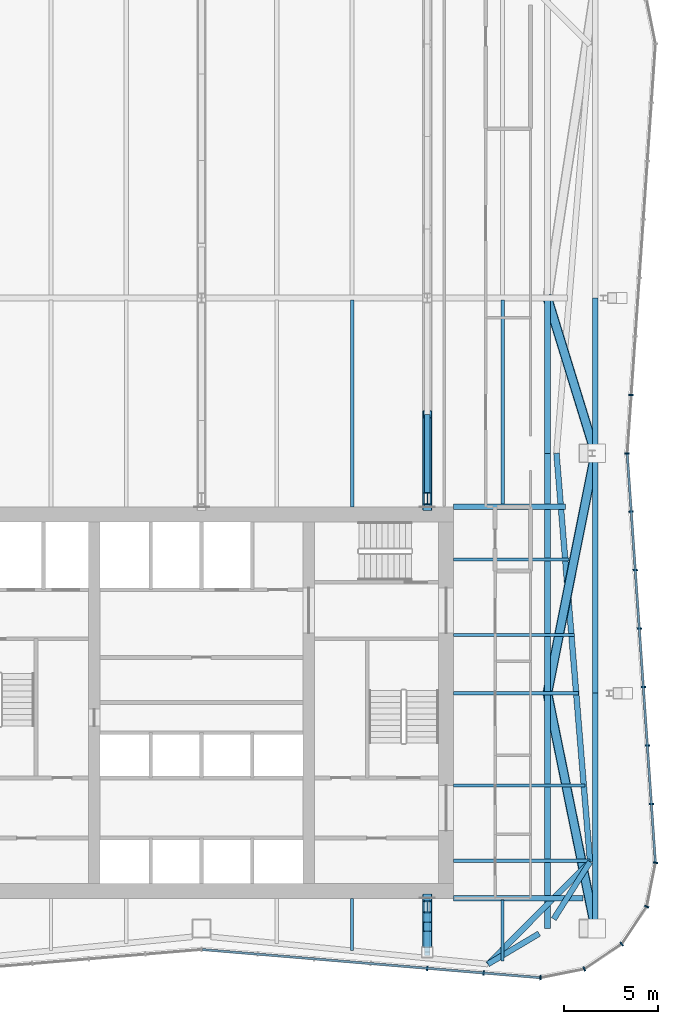
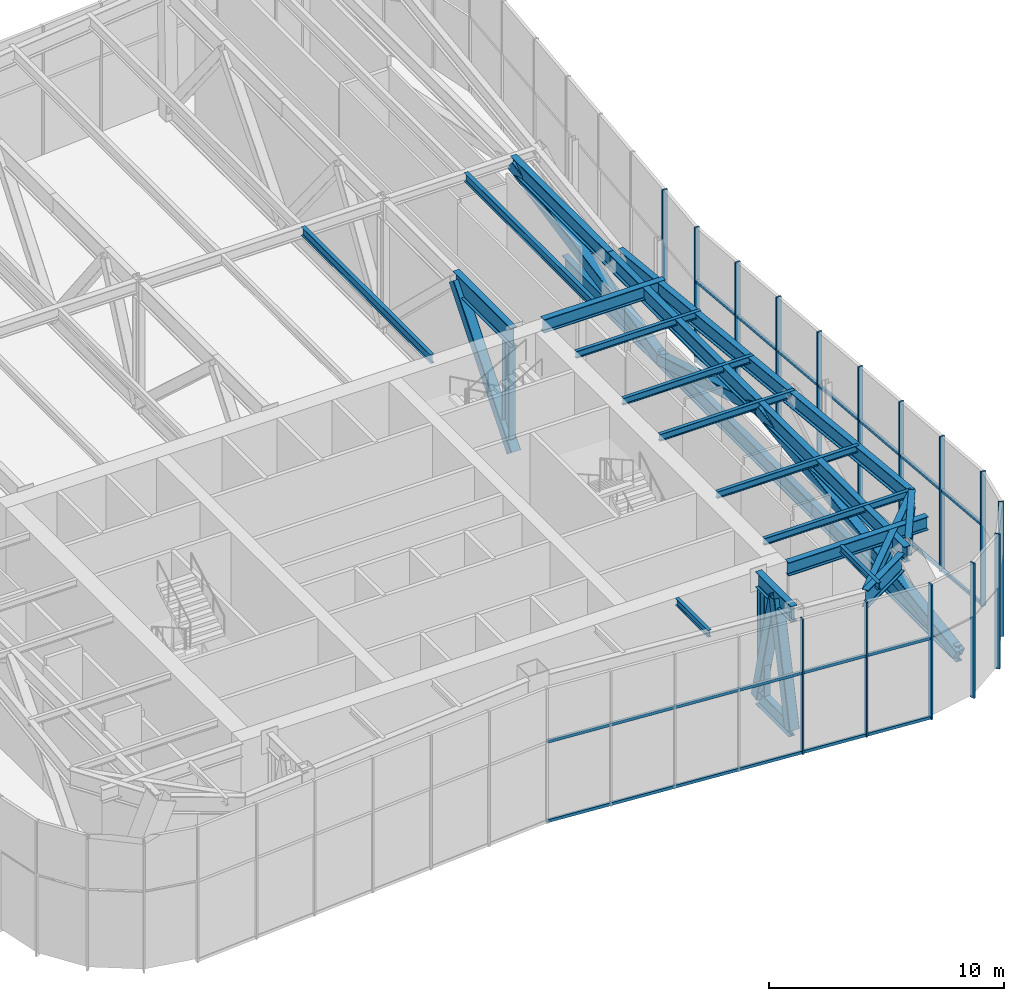
# One storey, part 7 of 17: 36 members, 15 beams, 3 elements without a shape of their own.
"""IFC4 building model written with IfcOpenShell, lengths in metres."""

import ifcopenshell
import ifcopenshell.guid

model = None  # the IFC model being written
_history = None  # IfcOwnerHistory: only IFC2X3 demands one
_inside = {}  # id of a spatial element -> (the spatial element, [elements in it])
_under = {}  # id of a project, library or spatial element -> (it, [spatial elements below it])
_declared = {}  # id of a project -> (the project, [libraries it declares])
_typed = {}  # id of a type object -> (the type object, [elements of that type])
_made_of = {}  # id of a material, layer set ... -> (it, [elements and type objects made of it])


def new_model(schema):
    """Start an empty IFC model of exactly this schema.

    Asked for "IFC4X3", IfcOpenShell would pick the latest addendum, in which some entities
    have other attributes; the version numbers below select the first issue.
    IFC2X3 requires an IfcOwnerHistory on every rooted entity: one is made here for all.
    """
    global model, _history
    if schema == "IFC4X3":
        model = ifcopenshell.file(schema_version=(4, 3, 0, 0))
    else:
        model = ifcopenshell.file(schema=schema)
    _inside.clear()
    _under.clear()
    _declared.clear()
    _typed.clear()
    _made_of.clear()
    _history = None
    if model.schema == "IFC2X3":
        org = make("IfcOrganization", Name="unknown")
        user = make(
            "IfcPersonAndOrganization",
            ThePerson=make("IfcPerson", FamilyName="unknown"),
            TheOrganization=org,
        )
        app = make(
            "IfcApplication",
            ApplicationDeveloper=org,
            Version="unknown",
            ApplicationFullName="unknown",
            ApplicationIdentifier="unknown",
        )
        _history = make(
            "IfcOwnerHistory",
            OwningUser=user,
            OwningApplication=app,
            ChangeAction="ADDED",
            CreationDate=0,
        )
    return model


def make(cls, **values):
    """One entity of the class cls with the attributes given. An attribute that is None is left unset."""
    return model.create_entity(
        cls, **{name: value for name, value in values.items() if value is not None}
    )


def rooted(cls, **values):
    """An entity with a GlobalId (a new one), such as an element, a storey or a relation."""
    return make(cls, GlobalId=ifcopenshell.guid.new(), OwnerHistory=_history, **values)


def si_unit(unit_type, name, prefix=None):
    """IfcSIUnit, for example si_unit("LENGTHUNIT", "METRE", prefix="MILLI")."""
    return make("IfcSIUnit", UnitType=unit_type, Prefix=prefix, Name=name)


def assignment(units):
    """IfcUnitAssignment: the units of a project."""
    return None if units is None else make("IfcUnitAssignment", Units=units)


def point(xyz):
    """IfcCartesianPoint."""
    return None if xyz is None else make("IfcCartesianPoint", Coordinates=xyz)


def direction(xyz):
    """IfcDirection."""
    return None if xyz is None else make("IfcDirection", DirectionRatios=xyz)


def frame(location, z_axis=None, x_axis=None):
    """IfcAxis2Placement3D, a coordinate frame: its origin and axes. An axis left out is left unset."""
    return make(
        "IfcAxis2Placement3D",
        Location=point(location),
        Axis=direction(z_axis),
        RefDirection=direction(x_axis),
    )


def frame_2d(location, x_axis=None):
    """IfcAxis2Placement2D, a coordinate frame in the plane: its origin and x axis."""
    return make(
        "IfcAxis2Placement2D", Location=point(location), RefDirection=direction(x_axis)
    )


def origin():
    """The frame at (0, 0, 0) with its axes left unset."""
    return frame((0.0, 0.0, 0.0))


def origin_2d():
    """The frame at (0, 0) in the plane with its x axis left unset."""
    return frame_2d((0.0, 0.0))


def place(relative_to, where):
    """IfcLocalPlacement: puts the frame where relative to a parent placement (None: the world)."""
    return make(
        "IfcLocalPlacement", PlacementRelTo=relative_to, RelativePlacement=where
    )


def context(
    kind, dimensions, precision=None, world=None, true_north=None, identifier=None
):
    """IfcGeometricRepresentationContext, for example the 3D "Model" context."""
    return make(
        "IfcGeometricRepresentationContext",
        ContextIdentifier=identifier,
        ContextType=kind,
        CoordinateSpaceDimension=dimensions,
        Precision=precision,
        WorldCoordinateSystem=world,
        TrueNorth=true_north,
    )


def subcontext(parent, identifier, kind, view, scale=None):
    """IfcGeometricRepresentationSubContext, for example "Body" below "Model"."""
    return make(
        "IfcGeometricRepresentationSubContext",
        ContextIdentifier=identifier,
        ContextType=kind,
        ParentContext=parent,
        TargetScale=scale,
        TargetView=view,
    )


def project(units=None, contexts=None):
    """IfcProject with its units and contexts."""
    return rooted(
        "IfcProject",
        Name="project",
        RepresentationContexts=contexts,
        UnitsInContext=assignment(units),
    )


def spatial(cls, under=None, at=None, **own):
    """A site, building, storey or space (cls), placed at a placement, below another one or the project."""
    s = rooted(cls, ObjectPlacement=at, **own)
    if under is not None:
        _under.setdefault(under.id(), (under, []))[1].append(s)
    return s


def profile(cls, at=None, kind="AREA", **sizes):
    """A parametric profile (cls). Its sizes go by their IFC names, for example OverallWidth=200.0."""
    return make(cls, ProfileType=kind, Position=at, **sizes)


def rectangle(**sizes):
    """IfcRectangleProfileDef."""
    return profile("IfcRectangleProfileDef", **sizes)


def hollow_rectangle(**sizes):
    """IfcRectangleHollowProfileDef."""
    return profile("IfcRectangleHollowProfileDef", **sizes)


def i_section(**sizes):
    """IfcIShapeProfileDef."""
    return profile("IfcIShapeProfileDef", **sizes)


def extrude(swept, where, along, depth):
    """IfcExtrudedAreaSolid: the profile swept, set in the frame where, extruded along a direction by depth."""
    return make(
        "IfcExtrudedAreaSolid",
        SweptArea=swept,
        Position=where,
        ExtrudedDirection=direction(along),
        Depth=depth,
    )


def shape(context_of_items, identifier, shape_type, items):
    """IfcShapeRepresentation: the items that make up one representation, for example the "Body"."""
    return make(
        "IfcShapeRepresentation",
        ContextOfItems=context_of_items,
        RepresentationIdentifier=identifier,
        RepresentationType=shape_type,
        Items=items,
    )


def material(Name=None, Category=None):
    """IfcMaterial."""
    return make("IfcMaterial", Name=Name, Category=Category)


def material_profile(
    of_material, cross_section, Name=None, Category=None, Priority=None
):
    """IfcMaterialProfile: a cross section and its material."""
    return make(
        "IfcMaterialProfile",
        Name=Name,
        Material=of_material,
        Profile=cross_section,
        Priority=Priority,
        Category=Category,
    )


def profile_set(profiles, Name=None, composite=None):
    """IfcMaterialProfileSet."""
    return make(
        "IfcMaterialProfileSet",
        Name=Name,
        MaterialProfiles=profiles,
        CompositeProfile=composite,
    )


def made_of(thing, what):
    """Note that an element or type object is made of a material, layer set ...; save() writes the relation."""
    if what is not None:
        _made_of.setdefault(what.id(), (what, []))[1].append(thing)
    return thing


def type_object(cls, material=None, **own):
    """A type object (cls), such as IfcWallType, which elements share."""
    return made_of(rooted(cls, **own), material)


def element(
    cls,
    number,
    at=None,
    inside=None,
    cuts=None,
    type_object=None,
    material=None,
    context=None,
    identifier="Body",
    shape_type=None,
    held_by="IfcProductDefinitionShape",
    body=None,
    shapes=None,
    **own,
):
    """One element of the class cls, such as IfcWall. Its Tag is "e" and its number.

    at: its placement. inside: the storey or other place that contains it. cuts: it is an
    opening in that element (IfcRelVoidsElement). A single representation is given by context,
    identifier, shape_type and body (its items); several are given by shapes. held_by: the class
    of the entity that holds the representations. save() writes the other relations.
    """
    e = rooted(cls, Tag="e%d" % number, ObjectPlacement=at, **own)
    if body is not None:
        shapes = [shape(context, identifier, shape_type, body)]
    if shapes is not None:
        e.Representation = make(held_by, Representations=shapes)
    if inside is not None:
        _inside.setdefault(inside.id(), (inside, []))[1].append(e)
    if cuts is not None:
        rooted(
            "IfcRelVoidsElement", RelatingBuildingElement=cuts, RelatedOpeningElement=e
        )
    if type_object is not None:
        _typed.setdefault(type_object.id(), (type_object, []))[1].append(e)
    return made_of(e, material)


def aggregate(whole, parts):
    """IfcRelAggregates: a whole, such as a stair, and the parts it consists of."""
    return rooted("IfcRelAggregates", RelatingObject=whole, RelatedObjects=parts)


def save(model, path):
    """Write the relations noted so far, then the file.

    IfcRelAggregates (storeys below a building ...), IfcRelContainedInSpatialStructure (elements
    in a storey), IfcRelDefinesByType, IfcRelAssociatesMaterial and IfcRelDeclares: one each for
    every whole, place, type object, material and project.
    """
    for whole, parts in _under.values():
        aggregate(whole, parts)
    for where, things in _inside.values():
        rooted(
            "IfcRelContainedInSpatialStructure",
            RelatedElements=things,
            RelatingStructure=where,
        )
    for kind, things in _typed.values():
        rooted("IfcRelDefinesByType", RelatedObjects=things, RelatingType=kind)
    for what, things in _made_of.values():
        rooted("IfcRelAssociatesMaterial", RelatedObjects=things, RelatingMaterial=what)
    for by, libraries in _declared.values():
        rooted("IfcRelDeclares", RelatingContext=by, RelatedDefinitions=libraries)
    model.write(path)


model = new_model("IFC4")

# Units and contexts
model_context = context("Model", 3, precision=1e-05, world=origin(), true_north=direction((0.0, 1.0)))
body_context = subcontext(model_context, "Body", "Model", "MODEL_VIEW")
ifc_project = project(units=[si_unit("LENGTHUNIT", "METRE"), si_unit("AREAUNIT", "SQUARE_METRE"), si_unit("VOLUMEUNIT", "CUBIC_METRE"), si_unit("PLANEANGLEUNIT", "RADIAN"), si_unit("MASSUNIT", "GRAM", prefix="KILO")], contexts=[model_context])

# Site, building, storey
site_placement = place(None, origin())
site = spatial("IfcSite", under=ifc_project, at=site_placement, CompositionType="ELEMENT")
building_placement = place(site_placement, origin())
building = spatial("IfcBuilding", under=site, at=building_placement, Name="Verdant Reach Tower", CompositionType="ELEMENT")
storey_placement = place(building_placement, frame((0.0, 0.0, 282.0)))
storey = spatial("IfcBuildingStorey", under=building, at=storey_placement, Name="L65 Plant", CompositionType="ELEMENT", Elevation=282.0)

# Curtain wall, members
ifc_material_1 = material(Name="Anodised aluminium", Category="aluminium")
curtain_wall_type = type_object("IfcCurtainWallType", Name="EN-CW SYSTEM PLANT", PredefinedType="NOTDEFINED", material=ifc_material_1)
curtain_wall_1_placement = place(storey_placement, origin())
curtain_wall_1 = element("IfcCurtainWall", 1, at=curtain_wall_1_placement, inside=storey, type_object=curtain_wall_type, Name="Curtain wall south-east corner, L65", PredefinedType="NOTDEFINED")
ifc_material_profile_1 = material_profile(ifc_material_1, rectangle(XDim=0.238037109375, YDim=0.080078125, at=origin_2d()), Name="Mullion 80x240")
ifc_profile_set_1 = profile_set([ifc_material_profile_1], Name="Anodised aluminium")
member_type_1 = type_object("IfcMemberType", Name="EN-MULLION PLANT", PredefinedType="MULLION", material=ifc_profile_set_1)
member_1_placement = place(storey_placement, frame((18.0068359375, 13.381103515625, -0.35009765625), z_axis=(0.0, 0.0, 1.0), x_axis=(0.056569187765, -0.998398681387, 0.0)))
member_1 = element("IfcMember", 2, at=member_1_placement, type_object=member_type_1, Name="Mullion south-east corner 1, L65", PredefinedType="MULLION", context=body_context, shape_type="SweptSolid", body=[
    extrude(rectangle(XDim=0.238037109375, YDim=0.080078125, at=origin_2d()), origin(), (0.0, 0.0, 1.0), 7.0),
])
member_2_placement = place(storey_placement, frame((20.341552734375, 13.8466796875, -0.35009765625), z_axis=(0.0, 0.0, 1.0), x_axis=(0.382693853776, -0.923875215753, 0.0)))
member_2 = element("IfcMember", 3, at=member_2_placement, type_object=member_type_1, Name="Mullion south-east corner 2, L65", PredefinedType="MULLION", context=body_context, shape_type="SweptSolid", body=[
    extrude(rectangle(XDim=0.238037109375, YDim=0.080078125, at=origin_2d()), origin(), (0.0, 0.0, 1.0), 7.0),
])
member_3_placement = place(storey_placement, frame((22.32666015625, 15.17333984375, -0.35009765625), z_axis=(0.0, 0.0, 1.0), x_axis=(0.707106781187, -0.707106781187, 0.0)))
member_3 = element("IfcMember", 4, at=member_3_placement, type_object=member_type_1, Name="Mullion south-east corner 3, L65", PredefinedType="MULLION", context=body_context, shape_type="SweptSolid", body=[
    extrude(rectangle(XDim=0.238037109375, YDim=0.080078125, at=origin_2d()), origin(), (0.0, 0.0, 1.0), 7.0),
])
member_4_placement = place(storey_placement, frame((23.6533203125, 17.158447265625, -0.35009765625), z_axis=(0.0, 0.0, 1.0), x_axis=(0.923875215753, -0.382693853776, 0.0)))
member_4 = element("IfcMember", 5, at=member_4_placement, type_object=member_type_1, Name="Mullion south-east corner 4, L65", PredefinedType="MULLION", context=body_context, shape_type="SweptSolid", body=[
    extrude(rectangle(XDim=0.238037109375, YDim=0.080078125, at=origin_2d()), origin(), (0.0, 0.0, 1.0), 7.0),
])
aggregate(curtain_wall_1, [member_1, member_2, member_3, member_4])

curtain_wall_2_placement = place(storey_placement, origin())
curtain_wall_2 = element("IfcCurtainWall", 6, at=curtain_wall_2_placement, inside=storey, type_object=curtain_wall_type, Name="Curtain wall east, L65", PredefinedType="NOTDEFINED")
member_5_placement = place(storey_placement, frame((24.11865234375, 19.492431640625, -0.35009765625), z_axis=(0.0, 0.0, 1.0), x_axis=(0.997969180898, -0.063698618332, 0.0)))
member_5 = element("IfcMember", 7, at=member_5_placement, type_object=member_type_1, Name="Mullion east face part 1 1, L65", PredefinedType="MULLION", context=body_context, shape_type="SweptSolid", body=[
    extrude(rectangle(XDim=0.238037109375, YDim=0.080078125, at=origin_2d()), origin(), (0.0, 0.0, 1.0), 7.0),
])
member_6_placement = place(storey_placement, frame((23.904541015625, 22.615234375, -0.35009765625), z_axis=(0.0, 0.0, 1.0), x_axis=(0.997630328423, 0.068802091615, 0.0)))
member_6 = element("IfcMember", 8, at=member_6_placement, type_object=member_type_1, Name="Mullion east face part 1 2, L65", PredefinedType="MULLION", context=body_context, shape_type="SweptSolid", body=[
    extrude(rectangle(XDim=0.238037109375, YDim=0.080078125, at=origin_2d()), origin(), (0.0, 0.0, 1.0), 7.0),
])
member_7_placement = place(storey_placement, frame((23.690185546875, 25.722412109375, -0.35009765625), z_axis=(0.0, 0.0, 1.0), x_axis=(0.997630328423, 0.068802091615, 0.0)))
member_7 = element("IfcMember", 9, at=member_7_placement, type_object=member_type_1, Name="Mullion east face part 1 3, L65", PredefinedType="MULLION", context=body_context, shape_type="SweptSolid", body=[
    extrude(rectangle(XDim=0.238037109375, YDim=0.080078125, at=origin_2d()), origin(), (0.0, 0.0, 1.0), 7.0),
])
member_8_placement = place(storey_placement, frame((23.475830078125, 28.82958984375, -0.35009765625), z_axis=(0.0, 0.0, 1.0), x_axis=(0.997630328423, 0.068802091615, 0.0)))
member_8 = element("IfcMember", 10, at=member_8_placement, type_object=member_type_1, Name="Mullion east face part 1 4, L65", PredefinedType="MULLION", context=body_context, shape_type="SweptSolid", body=[
    extrude(rectangle(XDim=0.238037109375, YDim=0.080078125, at=origin_2d()), origin(), (0.0, 0.0, 1.0), 7.0),
])
member_9_placement = place(storey_placement, frame((23.261474609375, 31.936767578125, -0.35009765625), z_axis=(0.0, 0.0, 1.0), x_axis=(0.997630328423, 0.068802091615, 0.0)))
member_9 = element("IfcMember", 11, at=member_9_placement, type_object=member_type_1, Name="Mullion east face part 1 5, L65", PredefinedType="MULLION", context=body_context, shape_type="SweptSolid", body=[
    extrude(rectangle(XDim=0.238037109375, YDim=0.080078125, at=origin_2d()), origin(), (0.0, 0.0, 1.0), 7.0),
])
member_10_placement = place(storey_placement, frame((23.04736328125, 35.0439453125, -0.35009765625), z_axis=(0.0, 0.0, 1.0), x_axis=(0.997630328423, 0.068802091615, 0.0)))
member_10 = element("IfcMember", 12, at=member_10_placement, type_object=member_type_1, Name="Mullion east face part 1 6, L65", PredefinedType="MULLION", context=body_context, shape_type="SweptSolid", body=[
    extrude(rectangle(XDim=0.238037109375, YDim=0.080078125, at=origin_2d()), origin(), (0.0, 0.0, 1.0), 7.0),
])
member_11_placement = place(storey_placement, frame((22.8330078125, 38.151123046875, -0.35009765625), z_axis=(0.0, 0.0, 1.0), x_axis=(0.997630328423, 0.068802091615, 0.0)))
member_11 = element("IfcMember", 13, at=member_11_placement, type_object=member_type_1, Name="Mullion east face part 1 7, L65", PredefinedType="MULLION", context=body_context, shape_type="SweptSolid", body=[
    extrude(rectangle(XDim=0.238037109375, YDim=0.080078125, at=origin_2d()), origin(), (0.0, 0.0, 1.0), 7.0),
])
member_12_placement = place(storey_placement, frame((22.618896484375, 41.25, -0.35009765625), z_axis=(0.0, 0.0, 1.0), x_axis=(1.0, 0.0, 0.0)))
member_12 = element("IfcMember", 14, at=member_12_placement, type_object=member_type_1, Name="Mullion east face part 2 1, L65", PredefinedType="MULLION", context=body_context, shape_type="SweptSolid", body=[
    extrude(rectangle(XDim=0.238037109375, YDim=0.080078125, at=origin_2d()), origin(), (0.0, 0.0, 1.0), 7.0),
])
member_13_placement = place(storey_placement, frame((22.8330078125, 44.348876953125, -0.35009765625), z_axis=(0.0, 0.0, 1.0), x_axis=(0.997630328423, -0.068802091615, 0.0)))
member_13 = element("IfcMember", 15, at=member_13_placement, type_object=member_type_1, Name="Mullion east face part 2 2, L65", PredefinedType="MULLION", context=body_context, shape_type="SweptSolid", body=[
    extrude(rectangle(XDim=0.238037109375, YDim=0.080078125, at=origin_2d()), origin(), (0.0, 0.0, 1.0), 7.0),
])

curtain_wall_3_placement = place(storey_placement, origin())
curtain_wall_3 = element("IfcCurtainWall", 16, at=curtain_wall_3_placement, inside=storey, type_object=curtain_wall_type, Name="Curtain wall south, L65", PredefinedType="NOTDEFINED")
member_14_placement = place(storey_placement, frame((11.990234375, 13.88134765625, -0.35009765625), z_axis=(0.0, 0.0, 1.0), x_axis=(-0.083045479859, -0.996545758244, 0.0)))
member_14 = element("IfcMember", 17, at=member_14_placement, type_object=member_type_1, Name="Mullion south face part 2 5, L65", PredefinedType="MULLION", context=body_context, shape_type="SweptSolid", body=[
    extrude(rectangle(XDim=0.238037109375, YDim=0.080078125, at=origin_2d()), origin(), (0.0, 0.0, 1.0), 7.0),
])
member_15_placement = place(storey_placement, frame((14.990234375, 13.63134765625, -0.35009765625), z_axis=(0.0, 0.0, 1.0), x_axis=(-0.083045479859, -0.996545758244, 0.0)))
member_15 = element("IfcMember", 18, at=member_15_placement, type_object=member_type_1, Name="Mullion south face part 2 6, L65", PredefinedType="MULLION", context=body_context, shape_type="SweptSolid", body=[
    extrude(rectangle(XDim=0.238037109375, YDim=0.080078125, at=origin_2d()), origin(), (0.0, 0.0, 1.0), 7.0),
])

# Member
ifc_material_profile_2 = material_profile(ifc_material_1, rectangle(XDim=0.1201171875, YDim=0.14990234375, at=origin_2d()), Name="Transom 150x120")
ifc_profile_set_2 = profile_set([ifc_material_profile_2], Name="Anodised aluminium")
member_type_2 = type_object("IfcMemberType", Name="EN-TRANSOM PLANT", PredefinedType="USERDEFINED", material=ifc_profile_set_2)
member_16_placement = place(storey_placement, frame((24.115966796875, 19.5322265625, -0.27490234375), z_axis=(-0.068761218296, 0.997633146431, 0.0), x_axis=(-0.997633146431, -0.068761218296, 0.0)))
member_16 = element("IfcMember", 19, at=member_16_placement, type_object=member_type_2, Name="Transom east face part 1 1.1, L65", ObjectType="TRANSOM", PredefinedType="USERDEFINED", context=body_context, shape_type="SweptSolid", body=[
    extrude(rectangle(XDim=0.1201171875, YDim=0.14990234375, at=origin_2d()), origin(), (0.0, 0.0, 1.0), 21.7294921875),
])

member_17_placement = place(storey_placement, frame((24.115966796875, 19.5322265625, 3.85009765625), z_axis=(-0.068761218296, 0.997633146431, 0.0), x_axis=(-0.997633146431, -0.068761218296, 0.0)))
member_17 = element("IfcMember", 20, at=member_17_placement, type_object=member_type_2, Name="Transom east face part 1 1.2, L65", ObjectType="TRANSOM", PredefinedType="USERDEFINED", context=body_context, shape_type="SweptSolid", body=[
    extrude(rectangle(XDim=0.1201171875, YDim=0.14990234375, at=origin_2d()), origin(), (0.0, 0.0, 1.0), 21.7294921875),
])

aggregate(curtain_wall_2, [member_5, member_6, member_7, member_8, member_9, member_10, member_11, member_16, member_17, member_12, member_13])

member_18_placement = place(storey_placement, frame((0.039794921875, 14.877685546875, -0.27490234375), z_axis=(0.996549220477, -0.083003922598, 0.0), x_axis=(0.083003922598, 0.996549220477, 0.0)))
member_18 = element("IfcMember", 21, at=member_18_placement, type_object=member_type_2, Name="Transom south face part 2 1.1, L65", ObjectType="TRANSOM", PredefinedType="USERDEFINED", context=body_context, shape_type="SweptSolid", body=[
    extrude(rectangle(XDim=0.1201171875, YDim=0.14990234375, at=origin_2d()), origin(), (0.0, 0.0, 1.0), 17.989013671875),
])

member_19_placement = place(storey_placement, frame((0.039794921875, 14.877685546875, 3.85009765625), z_axis=(0.996549220477, -0.083003922598, 0.0), x_axis=(0.083003922598, 0.996549220477, 0.0)))
member_19 = element("IfcMember", 22, at=member_19_placement, type_object=member_type_2, Name="Transom south face part 2 1.2, L65", ObjectType="TRANSOM", PredefinedType="USERDEFINED", context=body_context, shape_type="SweptSolid", body=[
    extrude(rectangle(XDim=0.1201171875, YDim=0.14990234375, at=origin_2d()), origin(), (0.0, 0.0, 1.0), 17.989013671875),
])

aggregate(curtain_wall_3, [member_14, member_15, member_18, member_19])

# Beams
ifc_material_2 = material(Name="Steel S355", Category="steel")
ifc_material_profile_3 = material_profile(ifc_material_2, i_section(OverallWidth=0.300048828125, OverallDepth=0.699951171875, WebThickness=0.01708984375, FlangeThickness=0.031982421875, FilletRadius=0.027099609375, at=origin_2d()), Name="HEB 700")
ifc_profile_set_3 = profile_set([ifc_material_profile_3], Name="Steel S355")
beam_type_1 = type_object("IfcBeamType", Name="ST-BEAM-HEB700", PredefinedType="BEAM", material=ifc_profile_set_3)
beam_1_placement = place(storey_placement, frame((13.39990234375, 38.39990234375, 6.52001953125), z_axis=(1.0, 0.0, 0.0), x_axis=(0.0, 1.0, 0.0)))
element("IfcBeam", 23, at=beam_1_placement, inside=storey, type_object=beam_type_1, Name="Trimmer beam, L65 Plant", PredefinedType="BEAM", context=body_context, shape_type="SweptSolid", body=[
    extrude(i_section(OverallWidth=0.300048828125, OverallDepth=0.699951171875, WebThickness=0.01708984375, FlangeThickness=0.031982421875, FilletRadius=0.027099609375, at=origin_2d()), origin(), (0.0, 0.0, 1.0), 5.9453125),
])
beam_2_placement = place(storey_placement, frame((13.39990234375, 17.60009765625, 6.52001953125), z_axis=(1.0, 0.0, 0.0), x_axis=(0.0, 1.0, 0.0)))
element("IfcBeam", 24, at=beam_2_placement, inside=storey, type_object=beam_type_1, Name="Trimmer beam, L65 Plant", PredefinedType="BEAM", context=body_context, shape_type="SweptSolid", body=[
    extrude(i_section(OverallWidth=0.300048828125, OverallDepth=0.699951171875, WebThickness=0.01708984375, FlangeThickness=0.031982421875, FilletRadius=0.027099609375, at=origin_2d()), origin(), (0.0, 0.0, 1.0), 6.8603515625),
])
ifc_material_profile_4 = material_profile(ifc_material_2, i_section(OverallWidth=0.302001953125, OverallDepth=0.909912109375, WebThickness=0.02099609375, FlangeThickness=0.0400390625, FilletRadius=0.030029296875, at=origin_2d()), Name="HEM 900")
ifc_profile_set_4 = profile_set([ifc_material_profile_4], Name="Steel S355")
beam_type_2 = type_object("IfcBeamType", Name="ST-BEAM-HEM900", PredefinedType="BEAM", material=ifc_profile_set_4)
beam_3_placement = place(storey_placement, frame((17.938720703125, 15.725341796875, 6.4150390625), z_axis=(-0.859088551766, -0.511826982705, 0.0), x_axis=(0.511826982705, -0.859088551766, 0.0)))
element("IfcBeam", 25, at=beam_3_placement, inside=storey, type_object=beam_type_2, Name="Column stub beam, L65 Plant", PredefinedType="BEAM", context=body_context, shape_type="SweptSolid", body=[
    extrude(i_section(OverallWidth=0.302001953125, OverallDepth=0.909912109375, WebThickness=0.02099609375, FlangeThickness=0.0400390625, FilletRadius=0.030029296875, at=origin_2d()), origin(), (0.0, 0.0, 1.0), 3.164306640625),
])
beam_4_placement = place(storey_placement, frame((18.71728515625, 16.5, 6.4150390625), z_axis=(0.53590069663, 0.844281021551, 0.0), x_axis=(-0.844281021551, 0.53590069663, 0.0)))
element("IfcBeam", 26, at=beam_4_placement, inside=storey, type_object=beam_type_2, Name="Column stub beam, L65 Plant", PredefinedType="BEAM", context=body_context, shape_type="SweptSolid", body=[
    extrude(i_section(OverallWidth=0.302001953125, OverallDepth=0.909912109375, WebThickness=0.02099609375, FlangeThickness=0.0400390625, FilletRadius=0.030029296875, at=origin_2d()), origin(), (0.0, 0.0, 1.0), 3.59912109375),
])
ifc_material_profile_5 = material_profile(ifc_material_2, i_section(OverallWidth=0.169921875, OverallDepth=0.360107421875, WebThickness=0.008056640625, FlangeThickness=0.0126953125, FilletRadius=0.01806640625, at=origin_2d()), Name="IPE 360")
ifc_profile_set_5 = profile_set([ifc_material_profile_5], Name="Steel S355")
beam_type_3 = type_object("IfcBeamType", Name="ST-JOIST-IPE360", PredefinedType="JOIST", material=ifc_profile_set_5)
beam_5_placement = place(storey_placement, frame((8.0, 17.60009765625, 6.68994140625), z_axis=(0.0, -1.0, 0.0), x_axis=(1.0, 0.0, 0.0)))
element("IfcBeam", 27, at=beam_5_placement, inside=storey, type_object=beam_type_3, Name="Floor joist, L65 Plant", PredefinedType="JOIST", context=body_context, shape_type="SweptSolid", body=[
    extrude(i_section(OverallWidth=0.169921875, OverallDepth=0.360107421875, WebThickness=0.008056640625, FlangeThickness=0.0126953125, FilletRadius=0.01806640625, at=origin_2d()), origin(), (0.0, 0.0, 1.0), 2.7841796875),
])
beam_6_placement = place(storey_placement, frame((16.0, 17.5, 6.68994140625), z_axis=(0.0, -1.0, 0.0), x_axis=(1.0, 0.0, 0.0)))
element("IfcBeam", 28, at=beam_6_placement, inside=storey, type_object=beam_type_3, Name="Floor joist, L65 Plant", PredefinedType="JOIST", context=body_context, shape_type="SweptSolid", body=[
    extrude(i_section(OverallWidth=0.169921875, OverallDepth=0.360107421875, WebThickness=0.008056640625, FlangeThickness=0.0126953125, FilletRadius=0.01806640625, at=origin_2d()), origin(), (0.0, 0.0, 1.0), 3.239013671875),
])
beam_7_placement = place(storey_placement, frame((13.39990234375, 19.60009765625, 6.68994140625), z_axis=(1.0, 0.0, 0.0), x_axis=(0.0, 1.0, 0.0)))
element("IfcBeam", 29, at=beam_7_placement, inside=storey, type_object=beam_type_3, Name="Floor joist, L65 Plant", PredefinedType="JOIST", context=body_context, shape_type="SweptSolid", body=[
    extrude(i_section(OverallWidth=0.169921875, OverallDepth=0.360107421875, WebThickness=0.008056640625, FlangeThickness=0.0126953125, FilletRadius=0.01806640625, at=origin_2d()), origin(), (0.0, 0.0, 1.0), 7.24169921875),
])
beam_8_placement = place(storey_placement, frame((13.39990234375, 23.60009765625, 6.68994140625), z_axis=(1.0, 0.0, 0.0), x_axis=(0.0, 1.0, 0.0)))
element("IfcBeam", 30, at=beam_8_placement, inside=storey, type_object=beam_type_3, Name="Floor joist, L65 Plant", PredefinedType="JOIST", context=body_context, shape_type="SweptSolid", body=[
    extrude(i_section(OverallWidth=0.169921875, OverallDepth=0.360107421875, WebThickness=0.008056640625, FlangeThickness=0.0126953125, FilletRadius=0.01806640625, at=origin_2d()), origin(), (0.0, 0.0, 1.0), 6.9658203125),
])
beam_9_placement = place(storey_placement, frame((13.39990234375, 28.5, 6.68994140625), z_axis=(1.0, 0.0, 0.0), x_axis=(0.0, 1.0, 0.0)))
element("IfcBeam", 31, at=beam_9_placement, inside=storey, type_object=beam_type_3, Name="Floor joist, L65 Plant", PredefinedType="JOIST", context=body_context, shape_type="SweptSolid", body=[
    extrude(i_section(OverallWidth=0.169921875, OverallDepth=0.360107421875, WebThickness=0.008056640625, FlangeThickness=0.0126953125, FilletRadius=0.01806640625, at=origin_2d()), origin(), (0.0, 0.0, 1.0), 6.6279296875),
])
beam_10_placement = place(storey_placement, frame((13.39990234375, 31.60009765625, 6.68994140625), z_axis=(1.0, 0.0, 0.0), x_axis=(0.0, 1.0, 0.0)))
element("IfcBeam", 32, at=beam_10_placement, inside=storey, type_object=beam_type_3, Name="Floor joist, L65 Plant", PredefinedType="JOIST", context=body_context, shape_type="SweptSolid", body=[
    extrude(i_section(OverallWidth=0.169921875, OverallDepth=0.360107421875, WebThickness=0.008056640625, FlangeThickness=0.0126953125, FilletRadius=0.01806640625, at=origin_2d()), origin(), (0.0, 0.0, 1.0), 6.414306640625),
])
beam_11_placement = place(storey_placement, frame((13.39990234375, 35.60009765625, 6.68994140625), z_axis=(1.0, 0.0, 0.0), x_axis=(0.0, 1.0, 0.0)))
element("IfcBeam", 33, at=beam_11_placement, inside=storey, type_object=beam_type_3, Name="Floor joist, L65 Plant", PredefinedType="JOIST", context=body_context, shape_type="SweptSolid", body=[
    extrude(i_section(OverallWidth=0.169921875, OverallDepth=0.360107421875, WebThickness=0.008056640625, FlangeThickness=0.0126953125, FilletRadius=0.01806640625, at=origin_2d()), origin(), (0.0, 0.0, 1.0), 6.13818359375),
])
ifc_material_profile_6 = material_profile(ifc_material_2, i_section(OverallWidth=0.18994140625, OverallDepth=0.449951171875, WebThickness=0.009521484375, FlangeThickness=0.0146484375, FilletRadius=0.02099609375, at=origin_2d()), Name="IPE 450")
ifc_profile_set_6 = profile_set([ifc_material_profile_6], Name="Steel S355")
beam_type_4 = type_object("IfcBeamType", Name="ST-JOIST-IPE450", PredefinedType="JOIST", material=ifc_profile_set_6)
beam_12_placement = place(storey_placement, frame((8.0, 38.39990234375, 6.64501953125), z_axis=(0.0, 1.0, 0.0), x_axis=(-1.0, 0.0, 0.0)))
element("IfcBeam", 34, at=beam_12_placement, inside=storey, type_object=beam_type_4, Name="Floor joist, L65 Plant", PredefinedType="JOIST", context=body_context, shape_type="SweptSolid", body=[
    extrude(i_section(OverallWidth=0.18994140625, OverallDepth=0.449951171875, WebThickness=0.009521484375, FlangeThickness=0.0146484375, FilletRadius=0.02099609375, at=origin_2d()), origin(), (0.0, 0.0, 1.0), 11.0),
])
beam_13_placement = place(storey_placement, frame((16.0, 38.5, 6.64501953125), z_axis=(0.0, 1.0, 0.0), x_axis=(-1.0, 0.0, 0.0)))
element("IfcBeam", 35, at=beam_13_placement, inside=storey, type_object=beam_type_4, Name="Floor joist, L65 Plant", PredefinedType="JOIST", context=body_context, shape_type="SweptSolid", body=[
    extrude(i_section(OverallWidth=0.18994140625, OverallDepth=0.449951171875, WebThickness=0.009521484375, FlangeThickness=0.0146484375, FilletRadius=0.02099609375, at=origin_2d()), origin(), (0.0, 0.0, 1.0), 10.89990234375),
])
ifc_material_profile_7 = material_profile(ifc_material_2, i_section(OverallWidth=0.300048828125, OverallDepth=0.800048828125, WebThickness=0.017578125, FlangeThickness=0.032958984375, FilletRadius=0.030029296875, at=origin_2d()), Name="HEB 800")
ifc_profile_set_7 = profile_set([ifc_material_profile_7], Name="Steel S355")
beam_type_5 = type_object("IfcBeamType", Name="ST-SPANDREL-HEB800", PredefinedType="SPANDREL", material=ifc_profile_set_7)
beam_14_placement = place(storey_placement, frame((18.861083984375, 41.25, 6.469970703125), z_axis=(0.08193431302, -0.996637731751, 0.0), x_axis=(0.996637731751, 0.08193431302, 0.0)))
element("IfcBeam", 36, at=beam_14_placement, inside=storey, type_object=beam_type_5, Name="Edge beam, L65 Plant", PredefinedType="SPANDREL", context=body_context, shape_type="SweptSolid", body=[
    extrude(i_section(OverallWidth=0.300048828125, OverallDepth=0.800048828125, WebThickness=0.017578125, FlangeThickness=0.032958984375, FilletRadius=0.030029296875, at=origin_2d()), origin(), (0.0, 0.0, 1.0), 21.78466796875),
])
ifc_material_profile_8 = material_profile(ifc_material_2, i_section(OverallWidth=0.302001953125, OverallDepth=0.909912109375, WebThickness=0.02099609375, FlangeThickness=0.0400390625, FilletRadius=0.030029296875, at=origin_2d()), Name="HEM 900")
ifc_profile_set_8 = profile_set([ifc_material_profile_8], Name="Steel S355")
beam_type_6 = type_object("IfcBeamType", Name="ST-SPANDREL-HEM900", PredefinedType="SPANDREL", material=ifc_profile_set_8)
beam_15_placement = place(storey_placement, frame((20.64599609375, 19.53857421875, 6.4150390625), z_axis=(-0.706645581521, -0.707567680237, 0.0), x_axis=(0.707567680237, -0.706645581521, 0.0)))
element("IfcBeam", 37, at=beam_15_placement, inside=storey, type_object=beam_type_6, Name="Edge beam, L65 Plant", PredefinedType="SPANDREL", context=body_context, shape_type="SweptSolid", body=[
    extrude(i_section(OverallWidth=0.302001953125, OverallDepth=0.909912109375, WebThickness=0.02099609375, FlangeThickness=0.0400390625, FilletRadius=0.030029296875, at=origin_2d()), origin(), (0.0, 0.0, 1.0), 7.67822265625),
])

# Members
ifc_material_3 = material(Name="Steel S460", Category="steel")
ifc_material_profile_9 = material_profile(ifc_material_3, hollow_rectangle(XDim=0.5, YDim=0.5, WallThickness=0.02490234375, InnerFilletRadius=0.02490234375, OuterFilletRadius=0.050048828125, at=origin_2d()), Name="RHS 500x500x25")
ifc_profile_set_9 = profile_set([ifc_material_profile_9], Name="Steel S460")
member_type_3 = type_object("IfcMemberType", Name="ST-TRUSS-BRACE-RHS500x500x25", PredefinedType="BRACE", material=ifc_profile_set_9)
member_20_placement = place(storey_placement, frame((12.0, 38.39990234375, 0.406982421875), z_axis=(0.0, 0.636766330405, 0.771056833484), x_axis=(-1.0, 0.0, 0.0)))
element("IfcMember", 38, at=member_20_placement, inside=storey, type_object=member_type_3, Name="Belt truss E north, diagonal, L65 Plant", PredefinedType="BRACE", context=body_context, shape_type="SweptSolid", body=[
    extrude(hollow_rectangle(XDim=0.5, YDim=0.5, WallThickness=0.02490234375, InnerFilletRadius=0.02490234375, OuterFilletRadius=0.050048828125, at=origin_2d()), origin(), (0.0, 0.0, 1.0), 7.728271484375),
])
member_21_placement = place(storey_placement, frame((12.0, 17.60009765625, 0.406982421875), z_axis=(0.0, -0.24241598658, 0.970172401922), x_axis=(1.0, 0.0, 0.0)))
element("IfcMember", 39, at=member_21_placement, inside=storey, type_object=member_type_3, Name="Belt truss E south, diagonal, L65 Plant", PredefinedType="BRACE", context=body_context, shape_type="SweptSolid", body=[
    extrude(hollow_rectangle(XDim=0.5, YDim=0.5, WallThickness=0.02490234375, InnerFilletRadius=0.02490234375, OuterFilletRadius=0.050048828125, at=origin_2d()), origin(), (0.0, 0.0, 1.0), 6.2421875),
])
member_22_placement = place(storey_placement, frame((12.0, 16.0869140625, 6.462890625), z_axis=(0.0, -0.21560894255, -0.97647979185), x_axis=(1.0, 0.0, 0.0)))
element("IfcMember", 40, at=member_22_placement, inside=storey, type_object=member_type_3, Name="Belt truss E south, diagonal, L65 Plant", PredefinedType="BRACE", context=body_context, shape_type="SweptSolid", body=[
    extrude(hollow_rectangle(XDim=0.5, YDim=0.5, WallThickness=0.02490234375, InnerFilletRadius=0.02490234375, OuterFilletRadius=0.050048828125, at=origin_2d()), origin(), (0.0, 0.0, 1.0), 6.20166015625),
])
member_23_placement = place(storey_placement, frame((20.922607421875, 16.0, 0.406982421875), z_axis=(-0.179939002039, 0.885257701971, 0.42888315034), x_axis=(-0.979961175008, -0.19918859274, 0.0)))
element("IfcMember", 41, at=member_23_placement, inside=storey, type_object=member_type_3, Name="Belt truss F east, diagonal, L65 Plant", PredefinedType="BRACE", context=body_context, shape_type="SweptSolid", body=[
    extrude(hollow_rectangle(XDim=0.5, YDim=0.5, WallThickness=0.02490234375, InnerFilletRadius=0.02490234375, OuterFilletRadius=0.050048828125, at=origin_2d()), origin(), (0.0, 0.0, 1.0), 14.1201171875),
])
member_24_placement = place(storey_placement, frame((18.3818359375, 28.5, 6.462890625), z_axis=(0.177156405456, 0.888999338764, -0.422250853976), x_axis=(-0.980716947369, 0.1954335415, 0.0)))
element("IfcMember", 42, at=member_24_placement, inside=storey, type_object=member_type_3, Name="Belt truss F east, diagonal, L65 Plant", PredefinedType="BRACE", context=body_context, shape_type="SweptSolid", body=[
    extrude(hollow_rectangle(XDim=0.5, YDim=0.5, WallThickness=0.02490234375, InnerFilletRadius=0.02490234375, OuterFilletRadius=0.050048828125, at=origin_2d()), origin(), (0.0, 0.0, 1.0), 14.342041015625),
])
member_25_placement = place(storey_placement, frame((20.922607421875, 41.25, 0.406982421875), z_axis=(-0.240951009345, 0.782378832304, 0.574304774364), x_axis=(-0.955703762754, -0.29433028702, 0.0)))
element("IfcMember", 43, at=member_25_placement, inside=storey, type_object=member_type_3, Name="Belt truss F east, diagonal, L65 Plant", PredefinedType="BRACE", context=body_context, shape_type="SweptSolid", body=[
    extrude(hollow_rectangle(XDim=0.5, YDim=0.5, WallThickness=0.02490234375, InnerFilletRadius=0.02490234375, OuterFilletRadius=0.050048828125, at=origin_2d()), origin(), (0.0, 0.0, 1.0), 10.544677734375),
])
ifc_material_profile_10 = material_profile(ifc_material_3, i_section(OverallWidth=0.302001953125, OverallDepth=1.008056640625, WebThickness=0.02099609375, FlangeThickness=0.0400390625, FilletRadius=0.030029296875, at=origin_2d()), Name="HEM 1000")
ifc_profile_set_10 = profile_set([ifc_material_profile_10], Name="Steel S460")
member_type_4 = type_object("IfcMemberType", Name="ST-TRUSS-CHORD-HEM1000", PredefinedType="CHORD", material=ifc_profile_set_10)
member_26_placement = place(storey_placement, frame((12.0, 38.39990234375, 6.365966796875), z_axis=(0.0, 1.0, 0.0), x_axis=(-1.0, 0.0, 0.0)))
element("IfcMember", 44, at=member_26_placement, inside=storey, type_object=member_type_4, Name="Belt truss E north, top chord, L65 Plant", PredefinedType="CHORD", context=body_context, shape_type="SweptSolid", body=[
    extrude(i_section(OverallWidth=0.302001953125, OverallDepth=1.008056640625, WebThickness=0.02099609375, FlangeThickness=0.0400390625, FilletRadius=0.030029296875, at=origin_2d()), origin(), (0.0, 0.0, 1.0), 4.921142578125),
])
ifc_material_profile_11 = material_profile(ifc_material_3, i_section(OverallWidth=0.302978515625, OverallDepth=0.81396484375, WebThickness=0.02099609375, FlangeThickness=0.0400390625, FilletRadius=0.030029296875, at=origin_2d()), Name="HEM 800")
ifc_profile_set_11 = profile_set([ifc_material_profile_11], Name="Steel S460")
member_type_5 = type_object("IfcMemberType", Name="ST-TRUSS-CHORD-HEM800", PredefinedType="CHORD", material=ifc_profile_set_11)
member_27_placement = place(storey_placement, frame((12.0, 17.60009765625, 6.462890625), z_axis=(0.0, -1.0, 0.0), x_axis=(1.0, 0.0, 0.0)))
element("IfcMember", 45, at=member_27_placement, inside=storey, type_object=member_type_5, Name="Belt truss E south, top chord, L65 Plant", PredefinedType="CHORD", context=body_context, shape_type="SweptSolid", body=[
    extrude(i_section(OverallWidth=0.302978515625, OverallDepth=0.81396484375, WebThickness=0.02099609375, FlangeThickness=0.0400390625, FilletRadius=0.030029296875, at=origin_2d()), origin(), (0.0, 0.0, 1.0), 3.0263671875),
])
member_28_placement = place(storey_placement, frame((12.0, 17.60009765625, 0.406982421875), z_axis=(0.0, -1.0, 0.0), x_axis=(1.0, 0.0, 0.0)))
element("IfcMember", 46, at=member_28_placement, inside=storey, type_object=member_type_5, Name="Belt truss E south, bottom chord, L65 Plant", PredefinedType="CHORD", context=body_context, shape_type="SweptSolid", body=[
    extrude(i_section(OverallWidth=0.302978515625, OverallDepth=0.81396484375, WebThickness=0.02099609375, FlangeThickness=0.0400390625, FilletRadius=0.030029296875, at=origin_2d()), origin(), (0.0, 0.0, 1.0), 2.850341796875),
])
for number, where, z_axis, x_axis, name in (
    (47, (18.3818359375, 16.0, 6.462890625), (0.0, 1.0, 0.0), (-1.0, 0.0, 0.0), "Belt truss F east, top chord, L65 Plant"),
    (48, (20.922607421875, 16.0, 0.406982421875), (0.0, 1.0, 0.0), (-1.0, 0.0, 0.0), "Belt truss F east, bottom chord, L65 Plant"),
):
    element("IfcMember", number, at=place(storey_placement, frame(where, z_axis=z_axis, x_axis=x_axis)), inside=storey, type_object=member_type_5, Name=name, PredefinedType="CHORD", context=body_context, shape_type="SweptSolid", body=[
        extrude(i_section(OverallWidth=0.302978515625, OverallDepth=0.81396484375, WebThickness=0.02099609375, FlangeThickness=0.0400390625, FilletRadius=0.030029296875, at=origin_2d()), origin(), (0.0, 0.0, 1.0), 12.5),
    ])
for number, where, z_axis, x_axis, name in (
    (49, (18.3818359375, 28.5, 6.462890625), (0.0, 1.0, 0.0), (-1.0, 0.0, 0.0), "Belt truss F east, top chord, L65 Plant"),
    (50, (20.922607421875, 28.5, 0.406982421875), (0.0, 1.0, 0.0), (-1.0, 0.0, 0.0), "Belt truss F east, bottom chord, L65 Plant"),
):
    element("IfcMember", number, at=place(storey_placement, frame(where, z_axis=z_axis, x_axis=x_axis)), inside=storey, type_object=member_type_5, Name=name, PredefinedType="CHORD", context=body_context, shape_type="SweptSolid", body=[
        extrude(i_section(OverallWidth=0.302978515625, OverallDepth=0.81396484375, WebThickness=0.02099609375, FlangeThickness=0.0400390625, FilletRadius=0.030029296875, at=origin_2d()), origin(), (0.0, 0.0, 1.0), 12.75),
    ])
for number, where, z_axis, x_axis, name in (
    (51, (18.3818359375, 41.25, 6.462890625), (0.0, 1.0, 0.0), (-1.0, 0.0, 0.0), "Belt truss F east, top chord, L65 Plant"),
    (52, (20.922607421875, 41.25, 0.406982421875), (0.0, 1.0, 0.0), (-1.0, 0.0, 0.0), "Belt truss F east, bottom chord, L65 Plant"),
):
    element("IfcMember", number, at=place(storey_placement, frame(where, z_axis=z_axis, x_axis=x_axis)), inside=storey, type_object=member_type_5, Name=name, PredefinedType="CHORD", context=body_context, shape_type="SweptSolid", body=[
        extrude(i_section(OverallWidth=0.302978515625, OverallDepth=0.81396484375, WebThickness=0.02099609375, FlangeThickness=0.0400390625, FilletRadius=0.030029296875, at=origin_2d()), origin(), (0.0, 0.0, 1.0), 8.25),
    ])
ifc_material_profile_12 = material_profile(ifc_material_3, i_section(OverallWidth=0.304931640625, OverallDepth=0.6201171875, WebThickness=0.02099609375, FlangeThickness=0.0400390625, FilletRadius=0.027099609375, at=origin_2d()), Name="HEM 600")
ifc_profile_set_12 = profile_set([ifc_material_profile_12], Name="Steel S460")
member_type_6 = type_object("IfcMemberType", Name="ST-TRUSS-POST-HEM600", PredefinedType="POST", material=ifc_profile_set_12)
member_29_placement = place(storey_placement, frame((12.0, 38.85009765625, 0.833984375), z_axis=(0.0, 0.0, 1.0), x_axis=(1.0, 0.0, 0.0)))
element("IfcMember", 53, at=member_29_placement, inside=storey, type_object=member_type_6, Name="Belt truss E north, end post, L65 Plant", PredefinedType="POST", context=body_context, shape_type="SweptSolid", body=[
    extrude(i_section(OverallWidth=0.304931640625, OverallDepth=0.6201171875, WebThickness=0.02099609375, FlangeThickness=0.0400390625, FilletRadius=0.027099609375, at=origin_2d()), origin(), (0.0, 0.0, 1.0), 5.008056640625),
])
member_30_placement = place(storey_placement, frame((12.0, 17.14990234375, 0.833984375), z_axis=(0.0, 0.0, 1.0), x_axis=(1.0, 0.0, 0.0)))
element("IfcMember", 54, at=member_30_placement, inside=storey, type_object=member_type_6, Name="Belt truss E south, end post, L65 Plant", PredefinedType="POST", context=body_context, shape_type="SweptSolid", body=[
    extrude(i_section(OverallWidth=0.304931640625, OverallDepth=0.6201171875, WebThickness=0.02099609375, FlangeThickness=0.0400390625, FilletRadius=0.027099609375, at=origin_2d()), origin(), (0.0, 0.0, 1.0), 5.201904296875),
])

save(model, "model.ifc")
